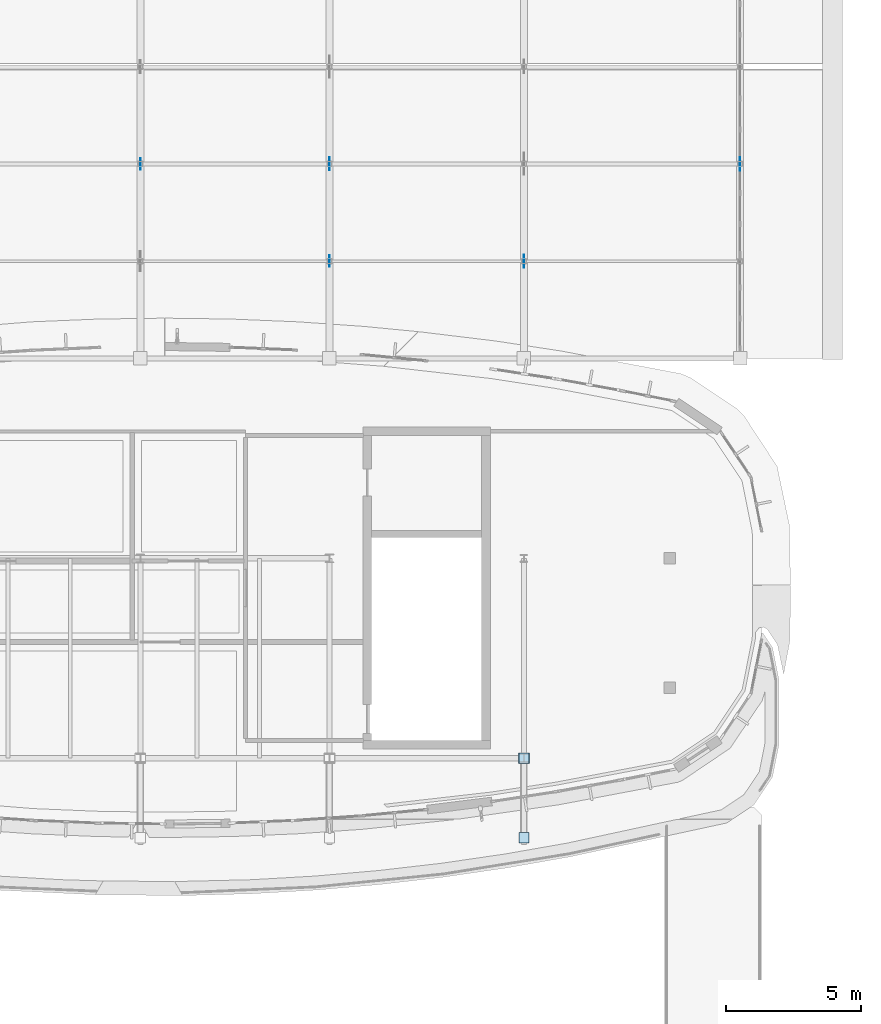
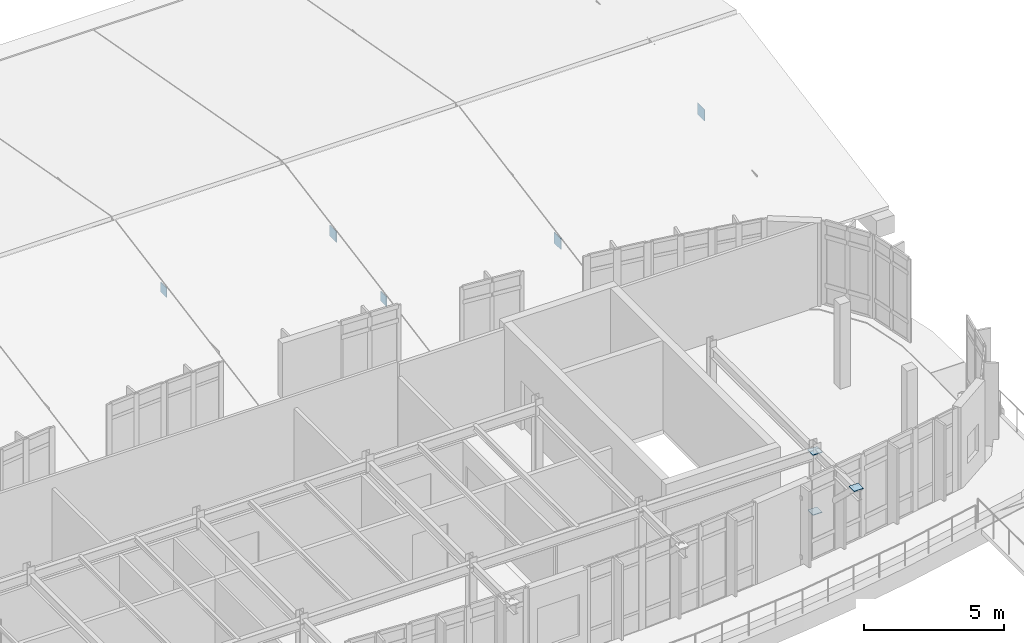
# One storey, part 81 of 105: 8 plates.
"""IFC4 building model written with IfcOpenShell, lengths in metres."""

from ifc_helpers import new_model, si_unit, direction, frame, origin, origin_2d, place, context, subcontext, project, spatial, rectangle, extrude, material, layer, layer_set, type_object, element, save


model = new_model("IFC4")

# Units and contexts
model_context = context("Model", 3, precision=1e-05, world=origin(), true_north=direction((0.0, 1.0)))
body_context = subcontext(model_context, "Body", "Model", "MODEL_VIEW")
ifc_project = project(units=[si_unit("LENGTHUNIT", "METRE"), si_unit("AREAUNIT", "SQUARE_METRE"), si_unit("VOLUMEUNIT", "CUBIC_METRE"), si_unit("PLANEANGLEUNIT", "RADIAN"), si_unit("MASSUNIT", "GRAM", prefix="KILO")], contexts=[model_context])

# Site, building, storey
site_placement = place(None, origin())
site = spatial("IfcSite", under=ifc_project, at=site_placement, CompositionType="ELEMENT")
building_placement = place(site_placement, origin())
building = spatial("IfcBuilding", under=site, at=building_placement, Name="Corveleigh Park Community Centre", CompositionType="ELEMENT")
storey_placement = place(building_placement, frame((0.0, 0.0, 8.699951171875)))
storey = spatial("IfcBuildingStorey", under=building, at=storey_placement, Name="L02", CompositionType="ELEMENT", Elevation=8.699951171875)

# Plates
ifc_material = material(Name="Steel S355", Category="steel")
ifc_layer_1 = layer(ifc_material, 0.02197265625, Name="Steel S355", Category="steel")
ifc_layer_set_1 = layer_set([ifc_layer_1], Name="Steel S355")
plate_type_1 = type_object("IfcPlateType", Name="PLT-CAP-22", PredefinedType="SHEET", material=ifc_layer_set_1)
for number, where, z_axis, x_axis, name in (
    (1, (32.199951171875, 100.0, 1.940185546875), (0.0, 0.0, 1.0), (0.0, 1.0, 0.0), "V2 Truss 4 Gusset"),
    (2, (39.199951171875, 96.39990234375, 1.2900390625), (0.0, 0.0, 1.0), (0.0, 1.0, 0.0), "V2 Truss 5 Gusset"),
):
    element("IfcPlate", number, at=place(storey_placement, frame(where, z_axis=z_axis, x_axis=x_axis)), inside=storey, type_object=plate_type_1, Name=name, PredefinedType="SHEET", context=body_context, shape_type="SweptSolid", body=[
        extrude(rectangle(XDim=0.419921875, YDim=0.02197265625, at=origin_2d()), origin(), (0.0, 0.0, 1.0), 0.419921875),
    ])
ifc_layer_2 = layer(ifc_material, 0.028076171875, Name="Steel S355", Category="steel")
ifc_layer_set_2 = layer_set([ifc_layer_2], Name="Steel S355")
plate_type_2 = type_object("IfcPlateType", Name="PLT-CAP-28", PredefinedType="SHEET", material=ifc_layer_set_2)
for number, where, z_axis, x_axis, name in (
    (3, (39.199951171875, 100.0, 1.91015625), (0.0, 0.0, 1.0), (0.0, 1.0, 0.0), "V2 Truss 5 Gusset"),
    (4, (46.39990234375, 96.39990234375, 1.260009765625), (0.0, 0.0, 1.0), (0.0, 1.0, 0.0), "V2 Truss 6 Gusset"),
):
    element("IfcPlate", number, at=place(storey_placement, frame(where, z_axis=z_axis, x_axis=x_axis)), inside=storey, type_object=plate_type_2, Name=name, PredefinedType="SHEET", context=body_context, shape_type="SweptSolid", body=[
        extrude(rectangle(XDim=0.47998046875, YDim=0.028076171875, at=origin_2d()), origin(), (0.0, 0.0, 1.0), 0.47998046875),
    ])
plate_1_placement = place(storey_placement, frame((46.39990234375, 78.0, 3.4677734375), z_axis=(0.0, 0.0, 1.0), x_axis=(1.0, 0.0, 0.0)))
element("IfcPlate", 5, at=plate_1_placement, inside=storey, type_object=plate_type_2, Name="V2 South Pebble Overhang Strut 6 Outrigger pier end plate", PredefinedType="SHEET", context=body_context, shape_type="SweptSolid", body=[
    extrude(rectangle(XDim=0.39990234375, YDim=0.39990234375, at=origin_2d()), origin(), (0.0, 0.0, 1.0), 0.028076171875),
])
for number, where, z_axis, x_axis, name in (
    (6, (46.39990234375, 78.0, 0.8359375), (0.0, 0.0, 1.0), (1.0, 0.0, 0.0), "V2 South Pebble Overhang Strut 6 base cap"),
    (7, (46.39990234375, 75.055908203125, 3.6591796875), (0.0, 0.0, 1.0), (1.0, 0.0, 0.0), "V2 South Pebble Overhang Strut 6 tip cap"),
):
    element("IfcPlate", number, at=place(storey_placement, frame(where, z_axis=z_axis, x_axis=x_axis)), inside=storey, type_object=plate_type_2, Name=name, PredefinedType="SHEET", context=body_context, shape_type="SweptSolid", body=[
        extrude(rectangle(XDim=0.3798828125, YDim=0.3798828125, at=origin_2d()), origin(), (0.0, 0.0, 1.0), 0.028076171875),
    ])
ifc_layer_3 = layer(ifc_material, 0.01806640625, Name="Steel S355", Category="steel")
ifc_layer_set_3 = layer_set([ifc_layer_3], Name="Steel S355")
plate_type_3 = type_object("IfcPlateType", Name="PLT-GUS-18", PredefinedType="SHEET", material=ifc_layer_set_3)
plate_2_placement = place(storey_placement, frame((54.39990234375, 100.0, 1.900146484375), z_axis=(0.0, 0.0, 1.0), x_axis=(0.0, 1.0, 0.0)))
element("IfcPlate", 8, at=plate_2_placement, inside=storey, type_object=plate_type_3, Name="V2 Truss 7 Gusset", PredefinedType="SHEET", context=body_context, shape_type="SweptSolid", body=[
    extrude(rectangle(XDim=0.5, YDim=0.01806640625, at=origin_2d()), origin(), (0.0, 0.0, 1.0), 0.5),
])

save(model, "model.ifc")
